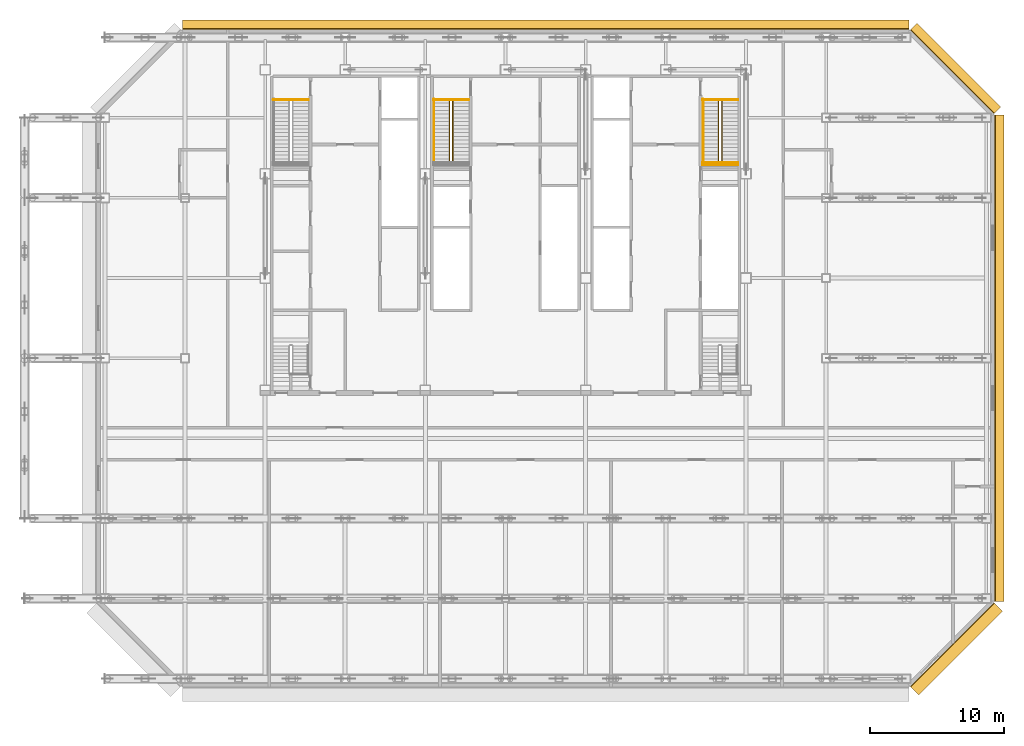
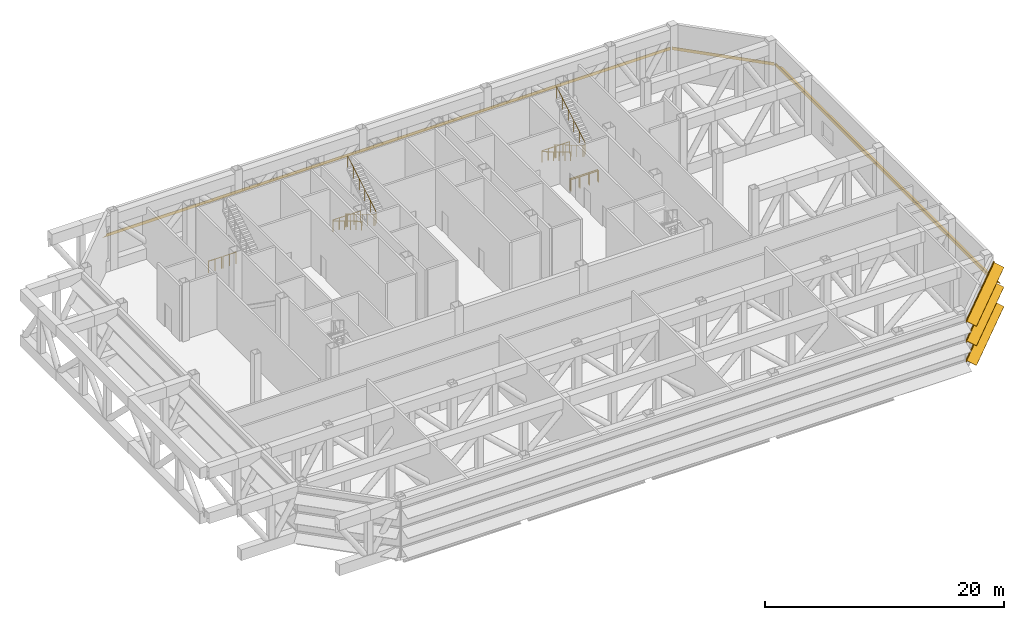
# One storey, part 17 of 17: 12 railings, 4 shading devices.
"""IFC4 building model written with IfcOpenShell, lengths in metres."""

from ifc_helpers import new_model, si_unit, direction, frame, origin, origin_2d, place, context, subcontext, project, spatial, polyline, circle, outline, composite_profile, extrude, material, type_object, element, save


model = new_model("IFC4")

# Units and contexts
model_context = context("Model", 3, precision=1e-05, world=origin(), true_north=direction((0.0, 1.0)))
body_context = subcontext(model_context, "Body", "Model", "MODEL_VIEW")
ifc_project = project(units=[si_unit("LENGTHUNIT", "METRE"), si_unit("AREAUNIT", "SQUARE_METRE"), si_unit("VOLUMEUNIT", "CUBIC_METRE"), si_unit("PLANEANGLEUNIT", "RADIAN"), si_unit("MASSUNIT", "GRAM", prefix="KILO")], contexts=[model_context])

# Site, building, storey
site_placement = place(None, origin())
site = spatial("IfcSite", under=ifc_project, at=site_placement, CompositionType="ELEMENT")
building_placement = place(site_placement, origin())
building = spatial("IfcBuilding", under=site, at=building_placement, Name="Sorahane Residences", CompositionType="ELEMENT")
storey_placement = place(building_placement, frame((0.0, 0.0, 186.0)))
storey = spatial("IfcBuildingStorey", under=building, at=storey_placement, Name="L43", CompositionType="ELEMENT", Elevation=186.0)

# Shading devices
ifc_material_1 = material(Name="Terracotta anodised aluminium", Category="masonry")
shading_device_type_1 = type_object("IfcShadingDeviceType", Name="Louvre sunshade blade E terracotta aluminium 700", PredefinedType="JALOUSIE", material=ifc_material_1)
shading_device_1_placement = place(storey_placement, frame((60.60009765625, 5.801513671875, 3.0), z_axis=(0.0, 1.0, 0.0), x_axis=(-1.0, 0.0, 0.0)))
element("IfcShadingDevice", 1, at=shading_device_1_placement, inside=storey, type_object=shading_device_type_1, Name="Louvre sunshade blade bank E L43 E1", PredefinedType="JALOUSIE", context=body_context, shape_type="SweptSolid", body=[
    extrude(outline(polyline([(-0.719970703125, -0.49365234375), (-0.719970703125, -0.523681640625), (-0.080078125, -0.05859375), (-0.080078125, -0.14990234375), (-0.02001953125, -0.14990234375), (-0.02001953125, -0.014892578125), (-0.02001953125, 0.014892578125), (-0.02001953125, 0.14990234375), (-0.080078125, 0.14990234375), (-0.080078125, -0.028564453125), (-0.719970703125, -0.49365234375)])), origin(), (0.0, 0.0, 1.0), 36.39697265625),
])
ifc_material_2 = material(Name="Terracotta anodised aluminium", Category="masonry")
shading_device_type_2 = type_object("IfcShadingDeviceType", Name="Louvre sunshade blade N terracotta aluminium 700", PredefinedType="JALOUSIE", material=ifc_material_2)
shading_device_2_placement = place(storey_placement, frame((54.198486328125, 48.60009765625, 3.0), z_axis=(-1.0, 0.0, 0.0), x_axis=(0.0, -1.0, 0.0)))
element("IfcShadingDevice", 2, at=shading_device_2_placement, inside=storey, type_object=shading_device_type_2, Name="Louvre sunshade blade bank N L43 N1", PredefinedType="JALOUSIE", context=body_context, shape_type="SweptSolid", body=[
    extrude(outline(polyline([(-0.719970703125, -0.660888671875), (-0.719970703125, -0.69091796875), (-0.080078125, -0.072998046875), (-0.080078125, -0.14990234375), (-0.02001953125, -0.14990234375), (-0.02001953125, -0.014892578125), (-0.02001953125, 0.014892578125), (-0.02001953125, 0.14990234375), (-0.080078125, 0.14990234375), (-0.080078125, -0.04296875), (-0.719970703125, -0.660888671875)])), origin(), (0.0, 0.0, 1.0), 54.39697265625),
])
ifc_material_3 = material(Name="Terracotta anodised aluminium", Category="masonry")
shading_device_type_3 = type_object("IfcShadingDeviceType", Name="Louvre sunshade blade NE terracotta aluminium 700", PredefinedType="JALOUSIE", material=ifc_material_3)
shading_device_3_placement = place(storey_placement, frame((60.564697265625, 42.283935546875, 3.0), z_axis=(-0.707106781187, 0.707106781187, 0.0), x_axis=(-0.707106781187, -0.707106781187, 0.0)))
element("IfcShadingDevice", 3, at=shading_device_3_placement, inside=storey, type_object=shading_device_type_3, Name="Louvre sunshade blade bank NE L43 NE1", PredefinedType="JALOUSIE", context=body_context, shape_type="SweptSolid", body=[
    extrude(outline(polyline([(-0.719970703125, -0.572509765625), (-0.719970703125, -0.602294921875), (-0.080078125, -0.065185546875), (-0.080078125, -0.14990234375), (-0.02001953125, -0.14990234375), (-0.02001953125, -0.014892578125), (-0.02001953125, 0.014892578125), (-0.02001953125, 0.14990234375), (-0.080078125, 0.14990234375), (-0.080078125, -0.035400390625), (-0.719970703125, -0.572509765625)])), origin(), (0.0, 0.0, 1.0), 8.88232421875),
])
ifc_material_4 = material(Name="Terracotta anodised aluminium", Category="masonry")
shading_device_type_4 = type_object("IfcShadingDeviceType", Name="Louvre sunshade blade SE terracotta aluminium 900", PredefinedType="JALOUSIE", material=ifc_material_4)
shading_device_4_placement = place(storey_placement, frame((54.283935546875, -0.564697265625, 1.0), z_axis=(0.707106781187, 0.707106781187, 0.0), x_axis=(-0.707106781187, 0.707106781187, 0.0)))
element("IfcShadingDevice", 4, at=shading_device_4_placement, inside=storey, type_object=shading_device_type_4, Name="Louvre sunshade blade bank SE L43 SE1", PredefinedType="JALOUSIE", context=body_context, shape_type="SweptSolid", body=[
    extrude(composite_profile([outline(polyline([(-0.919921875, -0.3486328125), (-0.919921875, -0.378662109375), (-0.080078125, -0.039306640625), (-0.080078125, -0.14990234375), (-0.02001953125, -0.14990234375), (-0.02001953125, -0.014892578125), (-0.02001953125, 0.014892578125), (-0.02001953125, 0.14990234375), (-0.080078125, 0.14990234375), (-0.080078125, -0.00927734375), (-0.919921875, -0.3486328125)])), outline(polyline([(-0.919921875, 1.6513671875), (-0.919921875, 1.621337890625), (-0.080078125, 1.960693359375), (-0.080078125, 1.85009765625), (-0.02001953125, 1.85009765625), (-0.02001953125, 1.985107421875), (-0.02001953125, 2.014892578125), (-0.02001953125, 2.14990234375), (-0.080078125, 2.14990234375), (-0.080078125, 1.99072265625), (-0.919921875, 1.6513671875)])), outline(polyline([(-0.919921875, 3.6513671875), (-0.919921875, 3.621337890625), (-0.080078125, 3.960693359375), (-0.080078125, 3.85009765625), (-0.02001953125, 3.85009765625), (-0.02001953125, 3.985107421875), (-0.02001953125, 4.014892578125), (-0.02001953125, 4.14990234375), (-0.080078125, 4.14990234375), (-0.080078125, 3.99072265625), (-0.919921875, 3.6513671875)]))]), origin(), (0.0, 0.0, 1.0), 8.88232421875),
])

# Railings
ifc_material_5 = material(Name="Steel Q355B", Category="steel")
railing_type_1 = type_object("IfcRailingType", Name="Stair guard 1200 Steel Q355B", PredefinedType="GUARDRAIL", material=ifc_material_5)
for number, where, name in (
    (5, (6.60009765625, 43.35009765625, 0.0), "L43 Stair S1 edge guard"),
    (6, (7.983154296875, 43.35009765625, 0.0), "L43 Stair S1 edge guard"),
):
    element("IfcRailing", number, at=place(storey_placement, frame(where)), inside=storey, type_object=railing_type_1, Name=name, PredefinedType="GUARDRAIL", context=body_context, shape_type="SweptSolid", body=[
        extrude(circle(Radius=0.02392578125, at=origin_2d()), frame((0.0, 0.0, 1.17578125), z_axis=(1.0, 0.0, 0.0), x_axis=(0.0, 1.0, 0.0)), (0.0, 0.0, 1.0), 1.266845703125),
        extrude(circle(Radius=0.02099609375, at=origin_2d()), origin(), (0.0, 0.0, 1.0), 1.15185546875),
        extrude(circle(Radius=0.02099609375, at=origin_2d()), frame((0.63330078125, 0.0, 0.0)), (0.0, 0.0, 1.0), 1.15185546875),
        extrude(circle(Radius=0.02099609375, at=origin_2d()), frame((1.266845703125, 0.0, 0.0)), (0.0, 0.0, 1.0), 1.15185546875),
    ])
railing_1_placement = place(storey_placement, frame((41.39990234375, 38.47509765625, 0.0)))
element("IfcRailing", 7, at=railing_1_placement, inside=storey, type_object=railing_type_1, Name="L43 S2 top well guard 1", PredefinedType="GUARDRAIL", context=body_context, shape_type="SweptSolid", body=[
    extrude(circle(Radius=0.02392578125, at=origin_2d()), frame((0.0, 0.0, 1.17578125), z_axis=(-1.0, 0.0, 0.0), x_axis=(0.0, -1.0, 0.0)), (0.0, 0.0, 1.0), 2.64990234375),
    extrude(circle(Radius=0.02099609375, at=origin_2d()), origin(), (0.0, 0.0, 1.0), 1.15185546875),
    extrude(circle(Radius=0.02099609375, at=origin_2d()), frame((-0.88330078125, 0.0, 0.0)), (0.0, 0.0, 1.0), 1.15185546875),
    extrude(circle(Radius=0.02099609375, at=origin_2d()), frame((-1.7666015625, 0.0, 0.0)), (0.0, 0.0, 1.0), 1.15185546875),
    extrude(circle(Radius=0.02099609375, at=origin_2d()), frame((-2.64990234375, 0.0, 0.0)), (0.0, 0.0, 1.0), 1.15185546875),
])
railing_2_placement = place(storey_placement, frame((38.75, 38.64990234375, 0.0)))
element("IfcRailing", 8, at=railing_2_placement, inside=storey, type_object=railing_type_1, Name="L43 Stair S2 edge guard", PredefinedType="GUARDRAIL", context=body_context, shape_type="SweptSolid", body=[
    extrude(circle(Radius=0.02392578125, at=origin_2d()), frame((0.0, 0.0, 1.17578125), z_axis=(1.0, 0.0, 0.0), x_axis=(0.0, 1.0, 0.0)), (0.0, 0.0, 1.0), 2.64990234375),
    extrude(circle(Radius=0.02099609375, at=origin_2d()), origin(), (0.0, 0.0, 1.0), 1.15185546875),
    extrude(circle(Radius=0.02099609375, at=origin_2d()), frame((0.88330078125, 0.0, 0.0)), (0.0, 0.0, 1.0), 1.15185546875),
    extrude(circle(Radius=0.02099609375, at=origin_2d()), frame((1.7666015625, 0.0, 0.0)), (0.0, 0.0, 1.0), 1.15185546875),
    extrude(circle(Radius=0.02099609375, at=origin_2d()), frame((2.64990234375, 0.0, 0.0)), (0.0, 0.0, 1.0), 1.15185546875),
])
for number, where, name in (
    (9, (38.75, 43.35009765625, 0.0), "L43 Stair S2 edge guard"),
    (10, (40.133056640625, 43.35009765625, 0.0), "L43 Stair S2 edge guard"),
):
    element("IfcRailing", number, at=place(storey_placement, frame(where)), inside=storey, type_object=railing_type_1, Name=name, PredefinedType="GUARDRAIL", context=body_context, shape_type="SweptSolid", body=[
        extrude(circle(Radius=0.02392578125, at=origin_2d()), frame((0.0, 0.0, 1.17578125), z_axis=(1.0, 0.0, 0.0), x_axis=(0.0, 1.0, 0.0)), (0.0, 0.0, 1.0), 1.266845703125),
        extrude(circle(Radius=0.02099609375, at=origin_2d()), origin(), (0.0, 0.0, 1.0), 1.15185546875),
        extrude(circle(Radius=0.02099609375, at=origin_2d()), frame((0.63330078125, 0.0, 0.0)), (0.0, 0.0, 1.0), 1.15185546875),
        extrude(circle(Radius=0.02099609375, at=origin_2d()), frame((1.266845703125, 0.0, 0.0)), (0.0, 0.0, 1.0), 1.15185546875),
    ])
railing_3_placement = place(storey_placement, frame((40.14990234375, 43.449951171875, 0.0)))
element("IfcRailing", 11, at=railing_3_placement, inside=storey, type_object=railing_type_1, Name="L43 S2 stair guard 1", PredefinedType="GUARDRAIL", context=body_context, shape_type="SweptSolid", body=[
    extrude(circle(Radius=0.02392578125, at=origin_2d()), frame((0.0, 0.0, 1.17578125), z_axis=(-1.0, 0.0, 0.0), x_axis=(0.0, -1.0, 0.0)), (0.0, 0.0, 1.0), 0.14990234375),
    extrude(circle(Radius=0.02392578125, at=origin_2d()), frame((-0.14990234375, 0.0, 1.17578125), z_axis=(-0.27628659633, -0.27628659633, 0.920506074601), x_axis=(0.707106781187, -0.707106781187, 0.0)), (0.0, 0.0, 1.0), 0.18115234375),
    extrude(circle(Radius=0.02392578125, at=origin_2d()), frame((-0.199951171875, -0.050048828125, 1.3427734375), z_axis=(0.0, -0.859299802514, 0.511472237174), x_axis=(1.0, 0.0, 0.0)), (0.0, 0.0, 1.0), 5.539306640625),
    extrude(circle(Radius=0.02392578125, at=origin_2d()), frame((-0.199951171875, -4.81005859375, 4.17578125), z_axis=(0.708833529934, -0.705375805398, 0.0), x_axis=(0.705375805398, 0.708833529934, 0.0)), (0.0, 0.0, 1.0), 0.070556640625),
    extrude(circle(Radius=0.02392578125, at=origin_2d()), frame((-0.14990234375, -4.85986328125, 4.17578125), z_axis=(1.0, 0.0, 0.0), x_axis=(0.0, 1.0, 0.0)), (0.0, 0.0, 1.0), 0.14990234375),
    extrude(circle(Radius=0.02392578125, at=origin_2d()), frame((0.0, -4.85986328125, 4.17578125), z_axis=(0.276389281352, 0.275041040955, 0.920848191041), x_axis=(-0.705375805398, 0.708833529934, 0.0)), (0.0, 0.0, 1.0), 0.18115234375),
    extrude(circle(Radius=0.02392578125, at=origin_2d()), frame((0.050048828125, -4.81005859375, 4.3427734375), z_axis=(0.0, 0.859299802514, 0.511472237174), x_axis=(-1.0, 0.0, 0.0)), (0.0, 0.0, 1.0), 5.539306640625),
    extrude(circle(Radius=0.02099609375, at=origin_2d()), origin(), (0.0, 0.0, 1.0), 1.15185546875),
    extrude(circle(Radius=0.02099609375, at=origin_2d()), frame((-0.14990234375, 0.0, 0.0)), (0.0, 0.0, 1.0), 1.15185546875),
    extrude(circle(Radius=0.02099609375, at=origin_2d()), frame((-0.199951171875, -0.050048828125, 0.166748046875)), (0.0, 0.0, 1.0), 1.15185546875),
    extrude(circle(Radius=0.02099609375, at=origin_2d()), frame((-0.199951171875, -1.001953125, 0.7333984375)), (0.0, 0.0, 1.0), 1.15185546875),
    extrude(circle(Radius=0.02099609375, at=origin_2d()), frame((-0.199951171875, -1.9541015625, 1.300048828125)), (0.0, 0.0, 1.0), 1.15185546875),
    extrude(circle(Radius=0.02099609375, at=origin_2d()), frame((-0.199951171875, -2.906005859375, 1.86669921875)), (0.0, 0.0, 1.0), 1.15185546875),
    extrude(circle(Radius=0.02099609375, at=origin_2d()), frame((-0.199951171875, -3.858154296875, 2.433349609375)), (0.0, 0.0, 1.0), 1.15185546875),
    extrude(circle(Radius=0.02099609375, at=origin_2d()), frame((-0.199951171875, -4.81005859375, 3.0)), (0.0, 0.0, 1.0), 1.15185546875),
    extrude(circle(Radius=0.02099609375, at=origin_2d()), frame((-0.14990234375, -4.85986328125, 3.0)), (0.0, 0.0, 1.0), 1.15185546875),
    extrude(circle(Radius=0.02099609375, at=origin_2d()), frame((0.0, -4.85986328125, 3.0)), (0.0, 0.0, 1.0), 1.15185546875),
    extrude(circle(Radius=0.02099609375, at=origin_2d()), frame((0.050048828125, -4.81005859375, 3.166748046875)), (0.0, 0.0, 1.0), 1.15185546875),
    extrude(circle(Radius=0.02099609375, at=origin_2d()), frame((0.050048828125, -3.858154296875, 3.7333984375)), (0.0, 0.0, 1.0), 1.15185546875),
    extrude(circle(Radius=0.02099609375, at=origin_2d()), frame((0.050048828125, -2.906005859375, 4.300048828125)), (0.0, 0.0, 1.0), 1.15185546875),
    extrude(circle(Radius=0.02099609375, at=origin_2d()), frame((0.050048828125, -1.9541015625, 4.86669921875)), (0.0, 0.0, 1.0), 1.15185546875),
    extrude(circle(Radius=0.02099609375, at=origin_2d()), frame((0.050048828125, -1.001953125, 5.433349609375)), (0.0, 0.0, 1.0), 1.15185546875),
    extrude(circle(Radius=0.02099609375, at=origin_2d()), frame((0.050048828125, -0.050048828125, 6.0)), (0.0, 0.0, 1.0), 1.15185546875),
])
for number, where, name in (
    (12, (18.60009765625, 43.35009765625, 0.0), "L43 Stair S3 edge guard"),
    (13, (19.983154296875, 43.35009765625, 0.0), "L43 Stair S3 edge guard"),
):
    element("IfcRailing", number, at=place(storey_placement, frame(where)), inside=storey, type_object=railing_type_1, Name=name, PredefinedType="GUARDRAIL", context=body_context, shape_type="SweptSolid", body=[
        extrude(circle(Radius=0.02392578125, at=origin_2d()), frame((0.0, 0.0, 1.17578125), z_axis=(1.0, 0.0, 0.0), x_axis=(0.0, 1.0, 0.0)), (0.0, 0.0, 1.0), 1.266845703125),
        extrude(circle(Radius=0.02099609375, at=origin_2d()), origin(), (0.0, 0.0, 1.0), 1.15185546875),
        extrude(circle(Radius=0.02099609375, at=origin_2d()), frame((0.63330078125, 0.0, 0.0)), (0.0, 0.0, 1.0), 1.15185546875),
        extrude(circle(Radius=0.02099609375, at=origin_2d()), frame((1.266845703125, 0.0, 0.0)), (0.0, 0.0, 1.0), 1.15185546875),
    ])
railing_4_placement = place(storey_placement, frame((20.0, 43.449951171875, 0.0)))
element("IfcRailing", 14, at=railing_4_placement, inside=storey, type_object=railing_type_1, Name="L43 S3 stair guard 1", PredefinedType="GUARDRAIL", context=body_context, shape_type="SweptSolid", body=[
    extrude(circle(Radius=0.02392578125, at=origin_2d()), frame((0.0, 0.0, 1.17578125), z_axis=(-1.0, 0.0, 0.0), x_axis=(0.0, -1.0, 0.0)), (0.0, 0.0, 1.0), 0.14990234375),
    extrude(circle(Radius=0.02392578125, at=origin_2d()), frame((-0.14990234375, 0.0, 1.17578125), z_axis=(-0.27628659633, -0.27628659633, 0.920506074601), x_axis=(0.707106781187, -0.707106781187, 0.0)), (0.0, 0.0, 1.0), 0.18115234375),
    extrude(circle(Radius=0.02392578125, at=origin_2d()), frame((-0.199951171875, -0.050048828125, 1.3427734375), z_axis=(0.0, -0.859299802514, 0.511472237174), x_axis=(1.0, 0.0, 0.0)), (0.0, 0.0, 1.0), 5.539306640625),
    extrude(circle(Radius=0.02392578125, at=origin_2d()), frame((-0.199951171875, -4.81005859375, 4.17578125), z_axis=(0.708833529934, -0.705375805398, 0.0), x_axis=(0.705375805398, 0.708833529934, 0.0)), (0.0, 0.0, 1.0), 0.070556640625),
    extrude(circle(Radius=0.02392578125, at=origin_2d()), frame((-0.14990234375, -4.85986328125, 4.17578125), z_axis=(1.0, 0.0, 0.0), x_axis=(0.0, 1.0, 0.0)), (0.0, 0.0, 1.0), 0.14990234375),
    extrude(circle(Radius=0.02392578125, at=origin_2d()), frame((0.0, -4.85986328125, 4.17578125), z_axis=(0.276389281352, 0.275041040955, 0.920848191041), x_axis=(-0.705375805398, 0.708833529934, 0.0)), (0.0, 0.0, 1.0), 0.18115234375),
    extrude(circle(Radius=0.02392578125, at=origin_2d()), frame((0.050048828125, -4.81005859375, 4.3427734375), z_axis=(0.0, 0.859299802514, 0.511472237174), x_axis=(-1.0, 0.0, 0.0)), (0.0, 0.0, 1.0), 5.539306640625),
    extrude(circle(Radius=0.02099609375, at=origin_2d()), origin(), (0.0, 0.0, 1.0), 1.15185546875),
    extrude(circle(Radius=0.02099609375, at=origin_2d()), frame((-0.14990234375, 0.0, 0.0)), (0.0, 0.0, 1.0), 1.15185546875),
    extrude(circle(Radius=0.02099609375, at=origin_2d()), frame((-0.199951171875, -0.050048828125, 0.166748046875)), (0.0, 0.0, 1.0), 1.15185546875),
    extrude(circle(Radius=0.02099609375, at=origin_2d()), frame((-0.199951171875, -1.001953125, 0.7333984375)), (0.0, 0.0, 1.0), 1.15185546875),
    extrude(circle(Radius=0.02099609375, at=origin_2d()), frame((-0.199951171875, -1.9541015625, 1.300048828125)), (0.0, 0.0, 1.0), 1.15185546875),
    extrude(circle(Radius=0.02099609375, at=origin_2d()), frame((-0.199951171875, -2.906005859375, 1.86669921875)), (0.0, 0.0, 1.0), 1.15185546875),
    extrude(circle(Radius=0.02099609375, at=origin_2d()), frame((-0.199951171875, -3.858154296875, 2.433349609375)), (0.0, 0.0, 1.0), 1.15185546875),
    extrude(circle(Radius=0.02099609375, at=origin_2d()), frame((-0.199951171875, -4.81005859375, 3.0)), (0.0, 0.0, 1.0), 1.15185546875),
    extrude(circle(Radius=0.02099609375, at=origin_2d()), frame((-0.14990234375, -4.85986328125, 3.0)), (0.0, 0.0, 1.0), 1.15185546875),
    extrude(circle(Radius=0.02099609375, at=origin_2d()), frame((0.0, -4.85986328125, 3.0)), (0.0, 0.0, 1.0), 1.15185546875),
    extrude(circle(Radius=0.02099609375, at=origin_2d()), frame((0.050048828125, -4.81005859375, 3.166748046875)), (0.0, 0.0, 1.0), 1.15185546875),
    extrude(circle(Radius=0.02099609375, at=origin_2d()), frame((0.050048828125, -3.858154296875, 3.7333984375)), (0.0, 0.0, 1.0), 1.15185546875),
    extrude(circle(Radius=0.02099609375, at=origin_2d()), frame((0.050048828125, -2.906005859375, 4.300048828125)), (0.0, 0.0, 1.0), 1.15185546875),
    extrude(circle(Radius=0.02099609375, at=origin_2d()), frame((0.050048828125, -1.9541015625, 4.86669921875)), (0.0, 0.0, 1.0), 1.15185546875),
    extrude(circle(Radius=0.02099609375, at=origin_2d()), frame((0.050048828125, -1.001953125, 5.433349609375)), (0.0, 0.0, 1.0), 1.15185546875),
    extrude(circle(Radius=0.02099609375, at=origin_2d()), frame((0.050048828125, -0.050048828125, 6.0)), (0.0, 0.0, 1.0), 1.15185546875),
])
ifc_material_6 = material(Name="Steel Q355B", Category="steel")
railing_type_2 = type_object("IfcRailingType", Name="Stair handrail 900 Steel Q355B", PredefinedType="HANDRAIL", material=ifc_material_6)
for number, where, name in (
    (15, (38.800048828125, 43.39990234375, 0.166748046875), "L43 S2 stair handrail 1"),
    (16, (18.64990234375, 43.39990234375, 0.166748046875), "L43 S3 stair handrail 1"),
):
    element("IfcRailing", number, at=place(storey_placement, frame(where)), inside=storey, type_object=railing_type_2, Name=name, PredefinedType="HANDRAIL", context=body_context, shape_type="SweptSolid", body=[
        extrude(circle(Radius=0.02392578125, at=origin_2d()), frame((0.0, 0.0, 0.8759765625), z_axis=(0.0, -0.859299802514, 0.511472237174), x_axis=(1.0, 0.0, 0.0)), (0.0, 0.0, 1.0), 5.539306640625),
        extrude(circle(Radius=0.02099609375, at=origin_2d()), origin(), (0.0, 0.0, 1.0), 0.851806640625),
        extrude(circle(Radius=0.02099609375, at=origin_2d()), frame((0.0, -0.951904296875, 0.566650390625)), (0.0, 0.0, 1.0), 0.851806640625),
        extrude(circle(Radius=0.02099609375, at=origin_2d()), frame((0.0, -1.904052734375, 1.13330078125)), (0.0, 0.0, 1.0), 0.851806640625),
        extrude(circle(Radius=0.02099609375, at=origin_2d()), frame((0.0, -2.85595703125, 1.699951171875)), (0.0, 0.0, 1.0), 0.851806640625),
        extrude(circle(Radius=0.02099609375, at=origin_2d()), frame((0.0, -3.80810546875, 2.2666015625)), (0.0, 0.0, 1.0), 0.851806640625),
        extrude(circle(Radius=0.02099609375, at=origin_2d()), frame((0.0, -4.760009765625, 2.833251953125)), (0.0, 0.0, 1.0), 0.851806640625),
    ])

save(model, "model.ifc")
